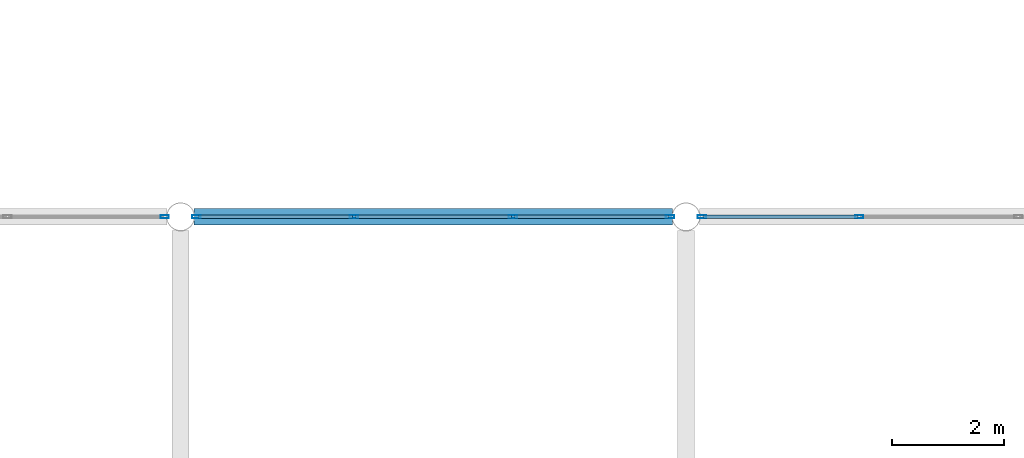
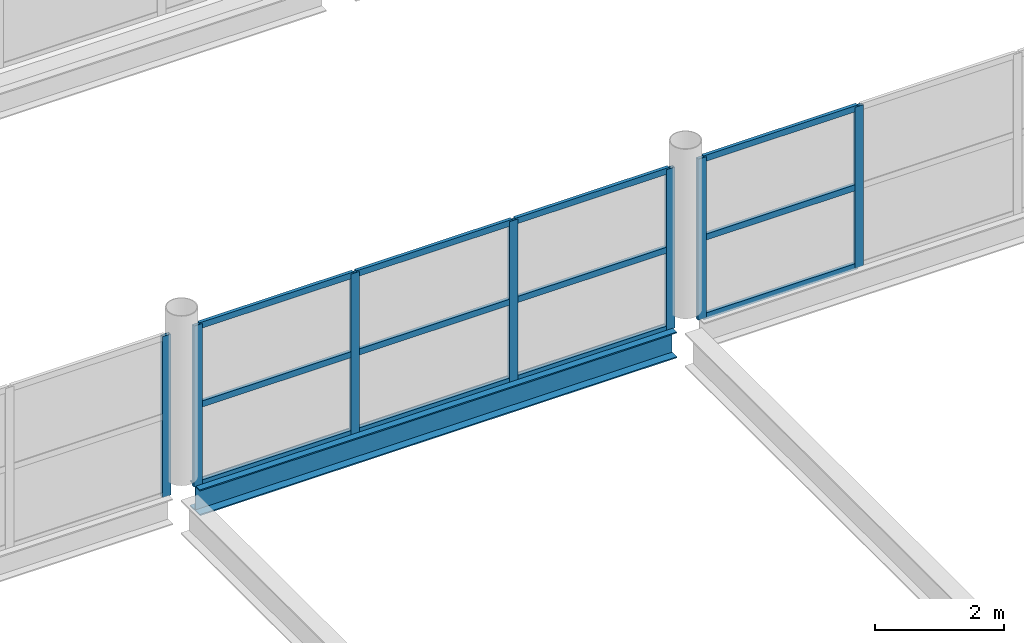
# One storey, part 40 of 134: 19 members, 1 beam, 3 elements without a shape of their own.
"""IFC4 building model written with IfcOpenShell, lengths in metres."""

from ifc_helpers import new_model, si_unit, direction, frame, origin, origin_2d, place, context, subcontext, project, spatial, hollow_rectangle, i_section, extrude, material, layer, layer_set, material_profile, profile_set, type_object, element, aggregate, save


model = new_model("IFC4")

# Units and contexts
model_context = context("Model", 3, precision=1e-05, world=origin(), true_north=direction((0.0, 1.0)))
body_context = subcontext(model_context, "Body", "Model", "MODEL_VIEW")
ifc_project = project(units=[si_unit("LENGTHUNIT", "METRE"), si_unit("AREAUNIT", "SQUARE_METRE"), si_unit("VOLUMEUNIT", "CUBIC_METRE"), si_unit("PLANEANGLEUNIT", "RADIAN"), si_unit("MASSUNIT", "GRAM", prefix="KILO")], contexts=[model_context])

# Site, building, storey
site_placement = place(None, origin())
site = spatial("IfcSite", under=ifc_project, at=site_placement, CompositionType="ELEMENT")
building_placement = place(site_placement, origin())
building = spatial("IfcBuilding", under=site, at=building_placement, Name="Tamarisk Ironworks Central Station", CompositionType="ELEMENT")
storey_placement = place(building_placement, frame((0.0, 0.0, 12.60009765625)))
storey = spatial("IfcBuildingStorey", under=building, at=storey_placement, Name="L02", CompositionType="ELEMENT", Elevation=12.60009765625)

# Beam
ifc_material_1 = material(Name="Structural steel S355J2", Category="steel")
ifc_material_profile_1 = material_profile(ifc_material_1, i_section(OverallWidth=0.300048828125, OverallDepth=0.489990234375, WebThickness=0.011962890625, FlangeThickness=0.02294921875, at=origin_2d()), Name="HEA 500")
ifc_profile_set_1 = profile_set([ifc_material_profile_1], Name="Structural steel S355J2")
beam_type = type_object("IfcBeamType", Name="BM-G05", PredefinedType="BEAM", material=ifc_profile_set_1)
beam_placement = place(storey_placement, frame((18.241943359375, 79.199951171875, -0.4951171875), z_axis=(1.0, 0.0, 0.0), x_axis=(0.0, 1.0, 0.0)))
element("IfcBeam", 1, at=beam_placement, inside=storey, type_object=beam_type, Name="L02 primary girder X-0357", PredefinedType="BEAM", context=body_context, shape_type="SweptSolid", body=[
    extrude(i_section(OverallWidth=0.300048828125, OverallDepth=0.489990234375, WebThickness=0.011962890625, FlangeThickness=0.02294921875, at=origin_2d()), origin(), (0.0, 0.0, 1.0), 8.51611328125),
])

# Curtain wall, member
ifc_material_2 = material(Name="Anodized aluminium alloy 6063-T6", Category="aluminium")
ifc_layer = layer(ifc_material_2, 0.179931640625)
ifc_layer_set = layer_set([ifc_layer], Name="Anodized aluminium alloy 6063-T6")
curtain_wall_type = type_object("IfcCurtainWallType", Name="CW-08", PredefinedType="USERDEFINED", material=ifc_layer_set)
curtain_wall_1_placement = place(storey_placement, origin())
curtain_wall_1 = element("IfcCurtainWall", 2, at=curtain_wall_1_placement, inside=storey, type_object=curtain_wall_type, Name="Train shed WN clerestory curtain wall 009", ObjectType="GLAZED CURTAIN WALL", PredefinedType="USERDEFINED")
ifc_material_profile_2 = material_profile(ifc_material_2, hollow_rectangle(XDim=0.06005859375, YDim=0.14990234375, WallThickness=0.00341796875, at=origin_2d()), Name="ALUM 150x60")
ifc_profile_set_2 = profile_set([ifc_material_profile_2], Name="Anodized aluminium alloy 6063-T6")
member_type_1 = type_object("IfcMemberType", Name="CWM-03", PredefinedType="MULLION", material=ifc_profile_set_2)
member_1_placement = place(storey_placement, frame((17.718017578125, 79.199951171875, -0.260009765625), z_axis=(0.0, 0.0, 1.0), x_axis=(0.0, 1.0, 0.0)))
member_1 = element("IfcMember", 3, at=member_1_placement, type_object=member_type_1, Name="CW08 mullion 4", PredefinedType="MULLION", context=body_context, shape_type="SweptSolid", body=[
    extrude(hollow_rectangle(XDim=0.06005859375, YDim=0.14990234375, WallThickness=0.00341796875, at=origin_2d()), origin(), (0.0, 0.0, 1.0), 3.039794921875),
])
aggregate(curtain_wall_1, [member_1])

# Curtain wall, members
curtain_wall_2_placement = place(storey_placement, origin())
curtain_wall_2 = element("IfcCurtainWall", 4, at=curtain_wall_2_placement, inside=storey, type_object=curtain_wall_type, Name="Train shed WN clerestory curtain wall 018", ObjectType="GLAZED CURTAIN WALL", PredefinedType="USERDEFINED")
member_2_placement = place(storey_placement, frame((18.281982421875, 79.199951171875, -0.260009765625), z_axis=(0.0, 0.0, 1.0), x_axis=(0.0, 1.0, 0.0)))
member_2 = element("IfcMember", 5, at=member_2_placement, type_object=member_type_1, Name="CW08 mullion 1", PredefinedType="MULLION", context=body_context, shape_type="SweptSolid", body=[
    extrude(hollow_rectangle(XDim=0.06005859375, YDim=0.14990234375, WallThickness=0.00341796875, at=origin_2d()), origin(), (0.0, 0.0, 1.0), 3.039794921875),
])
member_3_placement = place(storey_placement, frame((21.083984375, 79.199951171875, -0.260009765625), z_axis=(0.0, 0.0, 1.0), x_axis=(0.0, 1.0, 0.0)))
member_3 = element("IfcMember", 6, at=member_3_placement, type_object=member_type_1, Name="CW08 mullion 2", PredefinedType="MULLION", context=body_context, shape_type="SweptSolid", body=[
    extrude(hollow_rectangle(XDim=0.06005859375, YDim=0.14990234375, WallThickness=0.00341796875, at=origin_2d()), origin(), (0.0, 0.0, 1.0), 3.039794921875),
])
member_4_placement = place(storey_placement, frame((23.916015625, 79.199951171875, -0.260009765625), z_axis=(0.0, 0.0, 1.0), x_axis=(0.0, 1.0, 0.0)))
member_4 = element("IfcMember", 7, at=member_4_placement, type_object=member_type_1, Name="CW08 mullion 3", PredefinedType="MULLION", context=body_context, shape_type="SweptSolid", body=[
    extrude(hollow_rectangle(XDim=0.06005859375, YDim=0.14990234375, WallThickness=0.00341796875, at=origin_2d()), origin(), (0.0, 0.0, 1.0), 3.039794921875),
])
member_5_placement = place(storey_placement, frame((26.718017578125, 79.199951171875, -0.260009765625), z_axis=(0.0, 0.0, 1.0), x_axis=(0.0, 1.0, 0.0)))
member_5 = element("IfcMember", 8, at=member_5_placement, type_object=member_type_1, Name="CW08 mullion 4", PredefinedType="MULLION", context=body_context, shape_type="SweptSolid", body=[
    extrude(hollow_rectangle(XDim=0.06005859375, YDim=0.14990234375, WallThickness=0.00341796875, at=origin_2d()), origin(), (0.0, 0.0, 1.0), 3.039794921875),
])

curtain_wall_3_placement = place(storey_placement, origin())
curtain_wall_3 = element("IfcCurtainWall", 9, at=curtain_wall_3_placement, inside=storey, type_object=curtain_wall_type, Name="Train shed WN clerestory curtain wall 027", ObjectType="GLAZED CURTAIN WALL", PredefinedType="USERDEFINED")
member_6_placement = place(storey_placement, frame((27.281982421875, 79.199951171875, -0.260009765625), z_axis=(0.0, 0.0, 1.0), x_axis=(0.0, 1.0, 0.0)))
member_6 = element("IfcMember", 10, at=member_6_placement, type_object=member_type_1, Name="CW08 mullion 1", PredefinedType="MULLION", context=body_context, shape_type="SweptSolid", body=[
    extrude(hollow_rectangle(XDim=0.06005859375, YDim=0.14990234375, WallThickness=0.00341796875, at=origin_2d()), origin(), (0.0, 0.0, 1.0), 3.039794921875),
])
member_7_placement = place(storey_placement, frame((30.083984375, 79.199951171875, -0.260009765625), z_axis=(0.0, 0.0, 1.0), x_axis=(0.0, 1.0, 0.0)))
member_7 = element("IfcMember", 11, at=member_7_placement, type_object=member_type_1, Name="CW08 mullion 2", PredefinedType="MULLION", context=body_context, shape_type="SweptSolid", body=[
    extrude(hollow_rectangle(XDim=0.06005859375, YDim=0.14990234375, WallThickness=0.00341796875, at=origin_2d()), origin(), (0.0, 0.0, 1.0), 3.039794921875),
])

# Member
ifc_material_profile_3 = material_profile(ifc_material_2, hollow_rectangle(XDim=0.06005859375, YDim=0.114990234375, WallThickness=0.00341796875, at=origin_2d()), Name="ALUM 115x60")
ifc_profile_set_3 = profile_set([ifc_material_profile_3], Name="Anodized aluminium alloy 6063-T6")
member_type_2 = type_object("IfcMemberType", Name="CWT-03", PredefinedType="USERDEFINED", material=ifc_profile_set_3)
member_8_placement = place(storey_placement, frame((18.30810546875, 79.199951171875, -0.22998046875), z_axis=(1.0, 0.0, 0.0), x_axis=(0.0, 1.0, 0.0)))
member_8 = element("IfcMember", 12, at=member_8_placement, type_object=member_type_2, Name="CW08 transom 1.1", ObjectType="TRANSOM", PredefinedType="USERDEFINED", context=body_context, shape_type="SweptSolid", body=[
    extrude(hollow_rectangle(XDim=0.06005859375, YDim=0.114990234375, WallThickness=0.00341796875, at=origin_2d()), origin(), (0.0, 0.0, 1.0), 2.75),
])

member_9_placement = place(storey_placement, frame((18.30810546875, 79.199951171875, 1.260009765625), z_axis=(1.0, 0.0, 0.0), x_axis=(0.0, 1.0, 0.0)))
member_9 = element("IfcMember", 13, at=member_9_placement, type_object=member_type_2, Name="CW08 transom 1.2", ObjectType="TRANSOM", PredefinedType="USERDEFINED", context=body_context, shape_type="SweptSolid", body=[
    extrude(hollow_rectangle(XDim=0.06005859375, YDim=0.114990234375, WallThickness=0.00341796875, at=origin_2d()), origin(), (0.0, 0.0, 1.0), 2.75),
])

member_10_placement = place(storey_placement, frame((18.30810546875, 79.199951171875, 2.75), z_axis=(1.0, 0.0, 0.0), x_axis=(0.0, 1.0, 0.0)))
member_10 = element("IfcMember", 14, at=member_10_placement, type_object=member_type_2, Name="CW08 transom 1.3", ObjectType="TRANSOM", PredefinedType="USERDEFINED", context=body_context, shape_type="SweptSolid", body=[
    extrude(hollow_rectangle(XDim=0.06005859375, YDim=0.114990234375, WallThickness=0.00341796875, at=origin_2d()), origin(), (0.0, 0.0, 1.0), 2.75),
])

member_11_placement = place(storey_placement, frame((21.110107421875, 79.199951171875, -0.22998046875), z_axis=(1.0, 0.0, 0.0), x_axis=(0.0, 1.0, 0.0)))
member_11 = element("IfcMember", 15, at=member_11_placement, type_object=member_type_2, Name="CW08 transom 2.1", ObjectType="TRANSOM", PredefinedType="USERDEFINED", context=body_context, shape_type="SweptSolid", body=[
    extrude(hollow_rectangle(XDim=0.06005859375, YDim=0.114990234375, WallThickness=0.00341796875, at=origin_2d()), origin(), (0.0, 0.0, 1.0), 2.77978515625),
])

member_12_placement = place(storey_placement, frame((21.110107421875, 79.199951171875, 1.260009765625), z_axis=(1.0, 0.0, 0.0), x_axis=(0.0, 1.0, 0.0)))
member_12 = element("IfcMember", 16, at=member_12_placement, type_object=member_type_2, Name="CW08 transom 2.2", ObjectType="TRANSOM", PredefinedType="USERDEFINED", context=body_context, shape_type="SweptSolid", body=[
    extrude(hollow_rectangle(XDim=0.06005859375, YDim=0.114990234375, WallThickness=0.00341796875, at=origin_2d()), origin(), (0.0, 0.0, 1.0), 2.77978515625),
])

member_13_placement = place(storey_placement, frame((21.110107421875, 79.199951171875, 2.75), z_axis=(1.0, 0.0, 0.0), x_axis=(0.0, 1.0, 0.0)))
member_13 = element("IfcMember", 17, at=member_13_placement, type_object=member_type_2, Name="CW08 transom 2.3", ObjectType="TRANSOM", PredefinedType="USERDEFINED", context=body_context, shape_type="SweptSolid", body=[
    extrude(hollow_rectangle(XDim=0.06005859375, YDim=0.114990234375, WallThickness=0.00341796875, at=origin_2d()), origin(), (0.0, 0.0, 1.0), 2.77978515625),
])

member_14_placement = place(storey_placement, frame((23.94189453125, 79.199951171875, -0.22998046875), z_axis=(1.0, 0.0, 0.0), x_axis=(0.0, 1.0, 0.0)))
member_14 = element("IfcMember", 18, at=member_14_placement, type_object=member_type_2, Name="CW08 transom 3.1", ObjectType="TRANSOM", PredefinedType="USERDEFINED", context=body_context, shape_type="SweptSolid", body=[
    extrude(hollow_rectangle(XDim=0.06005859375, YDim=0.114990234375, WallThickness=0.00341796875, at=origin_2d()), origin(), (0.0, 0.0, 1.0), 2.75),
])

member_15_placement = place(storey_placement, frame((23.94189453125, 79.199951171875, 1.260009765625), z_axis=(1.0, 0.0, 0.0), x_axis=(0.0, 1.0, 0.0)))
member_15 = element("IfcMember", 19, at=member_15_placement, type_object=member_type_2, Name="CW08 transom 3.2", ObjectType="TRANSOM", PredefinedType="USERDEFINED", context=body_context, shape_type="SweptSolid", body=[
    extrude(hollow_rectangle(XDim=0.06005859375, YDim=0.114990234375, WallThickness=0.00341796875, at=origin_2d()), origin(), (0.0, 0.0, 1.0), 2.75),
])

member_16_placement = place(storey_placement, frame((23.94189453125, 79.199951171875, 2.75), z_axis=(1.0, 0.0, 0.0), x_axis=(0.0, 1.0, 0.0)))
member_16 = element("IfcMember", 20, at=member_16_placement, type_object=member_type_2, Name="CW08 transom 3.3", ObjectType="TRANSOM", PredefinedType="USERDEFINED", context=body_context, shape_type="SweptSolid", body=[
    extrude(hollow_rectangle(XDim=0.06005859375, YDim=0.114990234375, WallThickness=0.00341796875, at=origin_2d()), origin(), (0.0, 0.0, 1.0), 2.75),
])

aggregate(curtain_wall_2, [member_2, member_3, member_4, member_5, member_8, member_9, member_10, member_11, member_12, member_13, member_14, member_15, member_16])

member_17_placement = place(storey_placement, frame((27.30810546875, 79.199951171875, -0.22998046875), z_axis=(1.0, 0.0, 0.0), x_axis=(0.0, 1.0, 0.0)))
member_17 = element("IfcMember", 21, at=member_17_placement, type_object=member_type_2, Name="CW08 transom 1.1", ObjectType="TRANSOM", PredefinedType="USERDEFINED", context=body_context, shape_type="SweptSolid", body=[
    extrude(hollow_rectangle(XDim=0.06005859375, YDim=0.114990234375, WallThickness=0.00341796875, at=origin_2d()), origin(), (0.0, 0.0, 1.0), 2.75),
])

member_18_placement = place(storey_placement, frame((27.30810546875, 79.199951171875, 1.260009765625), z_axis=(1.0, 0.0, 0.0), x_axis=(0.0, 1.0, 0.0)))
member_18 = element("IfcMember", 22, at=member_18_placement, type_object=member_type_2, Name="CW08 transom 1.2", ObjectType="TRANSOM", PredefinedType="USERDEFINED", context=body_context, shape_type="SweptSolid", body=[
    extrude(hollow_rectangle(XDim=0.06005859375, YDim=0.114990234375, WallThickness=0.00341796875, at=origin_2d()), origin(), (0.0, 0.0, 1.0), 2.75),
])

member_19_placement = place(storey_placement, frame((27.30810546875, 79.199951171875, 2.75), z_axis=(1.0, 0.0, 0.0), x_axis=(0.0, 1.0, 0.0)))
member_19 = element("IfcMember", 23, at=member_19_placement, type_object=member_type_2, Name="CW08 transom 1.3", ObjectType="TRANSOM", PredefinedType="USERDEFINED", context=body_context, shape_type="SweptSolid", body=[
    extrude(hollow_rectangle(XDim=0.06005859375, YDim=0.114990234375, WallThickness=0.00341796875, at=origin_2d()), origin(), (0.0, 0.0, 1.0), 2.75),
])

aggregate(curtain_wall_3, [member_6, member_7, member_17, member_18, member_19])

save(model, "model.ifc")
